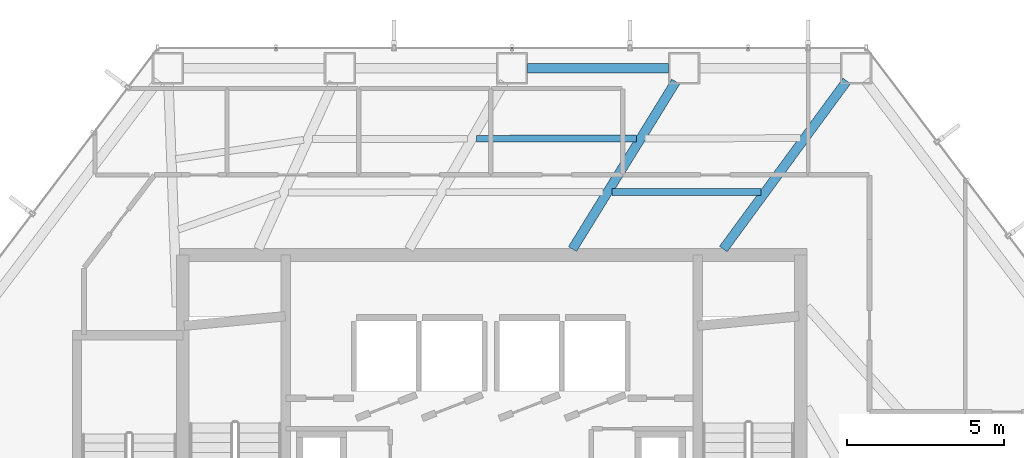
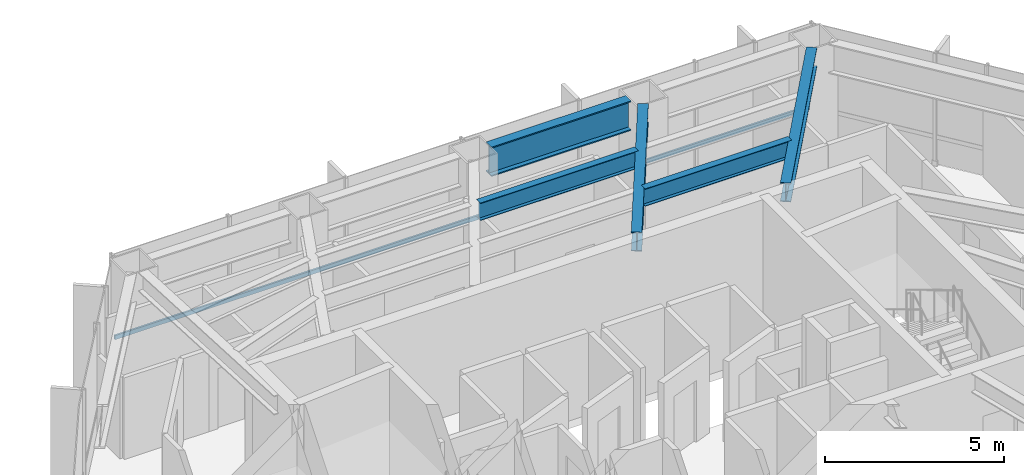
# One storey, part 14 of 25: 5 beams, 1 member, 1 element without a shape of its own.
"""IFC4 building model written with IfcOpenShell, lengths in metres."""

from ifc_helpers import new_model, si_unit, direction, frame, origin, origin_2d, place, context, subcontext, project, spatial, hollow_rectangle, i_section, extrude, material, layer, layer_set, material_profile, profile_set, type_object, element, aggregate, save


model = new_model("IFC4")

# Units and contexts
model_context = context("Model", 3, precision=1e-05, world=origin(), true_north=direction((0.0, 1.0)))
body_context = subcontext(model_context, "Body", "Model", "MODEL_VIEW")
ifc_project = project(units=[si_unit("LENGTHUNIT", "METRE"), si_unit("AREAUNIT", "SQUARE_METRE"), si_unit("VOLUMEUNIT", "CUBIC_METRE"), si_unit("PLANEANGLEUNIT", "RADIAN"), si_unit("MASSUNIT", "GRAM", prefix="KILO")], contexts=[model_context])

# Site, building, storey
site_placement = place(None, origin())
site = spatial("IfcSite", under=ifc_project, at=site_placement, CompositionType="ELEMENT")
building_placement = place(site_placement, origin())
building = spatial("IfcBuilding", under=site, at=building_placement, Name="Zarrinselat Tower", CompositionType="ELEMENT")
storey_placement = place(building_placement, frame((0.0, 0.0, 39.780029296875)))
storey = spatial("IfcBuildingStorey", under=building, at=storey_placement, Name="L09", CompositionType="ELEMENT", Elevation=39.780029296875)

# Beams
ifc_material_1 = material(Name="Steel S355J2", Category="steel")
ifc_material_profile_1 = material_profile(ifc_material_1, i_section(OverallWidth=0.300048828125, OverallDepth=0.64990234375, WebThickness=0.01611328125, FlangeThickness=0.031005859375, at=origin_2d()), Name="HEB 650")
ifc_profile_set_1 = profile_set([ifc_material_profile_1], Name="Steel S355J2")
beam_type_1 = type_object("IfcBeamType", Name="BM-HEB650", PredefinedType="BEAM", material=ifc_profile_set_1)
beam_1_placement = place(storey_placement, frame((45.800048828125, 43.639892578125, 3.494873046875), z_axis=(0.591948703852, 0.805975639835, 0.0), x_axis=(-0.805975639835, 0.591948703852, 0.0)))
element("IfcBeam", 1, at=beam_1_placement, inside=storey, type_object=beam_type_1, Name="L09 Radial Primary Girder RG01", PredefinedType="BEAM", context=body_context, shape_type="SweptSolid", body=[
    extrude(i_section(OverallWidth=0.300048828125, OverallDepth=0.64990234375, WebThickness=0.01611328125, FlangeThickness=0.031005859375, at=origin_2d()), origin(), (0.0, 0.0, 1.0), 6.6376953125),
])
beam_2_placement = place(storey_placement, frame((41.0, 43.639892578125, 3.494873046875), z_axis=(0.525050228917, 0.851071240916, 0.0), x_axis=(-0.851071240916, 0.525050228917, 0.0)))
element("IfcBeam", 2, at=beam_2_placement, inside=storey, type_object=beam_type_1, Name="L09 Radial Primary Girder RG02", PredefinedType="BEAM", context=body_context, shape_type="SweptSolid", body=[
    extrude(i_section(OverallWidth=0.300048828125, OverallDepth=0.64990234375, WebThickness=0.01611328125, FlangeThickness=0.031005859375, at=origin_2d()), origin(), (0.0, 0.0, 1.0), 6.259521484375),
])
ifc_material_2 = material(Name="Steel S460M", Category="steel")
ifc_material_profile_2 = material_profile(ifc_material_2, i_section(OverallWidth=0.302001953125, OverallDepth=1.008056640625, WebThickness=0.02099609375, FlangeThickness=0.0400390625, at=origin_2d()), Name="HEM 1000")
ifc_profile_set_2 = profile_set([ifc_material_profile_2], Name="Steel S460M")
beam_type_2 = type_object("IfcBeamType", Name="BM-HEM1000", PredefinedType="BEAM", material=ifc_profile_set_2)
beam_3_placement = place(storey_placement, frame((39.562255859375, 49.394287109375, 3.31591796875), z_axis=(1.0, 0.0, 0.0), x_axis=(0.0, 1.0, 0.0)))
element("IfcBeam", 3, at=beam_3_placement, inside=storey, type_object=beam_type_2, Name="L09 Perimeter Spandrel Girder SP02", PredefinedType="BEAM", context=body_context, shape_type="SweptSolid", body=[
    extrude(i_section(OverallWidth=0.302001953125, OverallDepth=1.008056640625, WebThickness=0.02099609375, FlangeThickness=0.0400390625, at=origin_2d()), origin(), (0.0, 0.0, 1.0), 4.5),
])
ifc_material_3 = material(Name="Steel S355J2", Category="steel")
ifc_material_profile_3 = material_profile(ifc_material_3, i_section(OverallWidth=0.219970703125, OverallDepth=0.60009765625, WebThickness=0.011962890625, FlangeThickness=0.01904296875, at=origin_2d()), Name="IPE 600")
ifc_profile_set_3 = profile_set([ifc_material_profile_3], Name="Steel S355J2")
beam_type_3 = type_object("IfcBeamType", Name="BM-IPE600", PredefinedType="JOIST", material=ifc_profile_set_3)
beam_4_placement = place(storey_placement, frame((42.257568359375, 45.451416015625, 3.52001953125), z_axis=(0.999998805324, 0.001545752481, 0.0), x_axis=(-0.001545752481, 0.999998805324, 0.0)))
element("IfcBeam", 4, at=beam_4_placement, inside=storey, type_object=beam_type_3, Name="L09 Composite Floor Joist 7-2", PredefinedType="JOIST", context=body_context, shape_type="SweptSolid", body=[
    extrude(i_section(OverallWidth=0.219970703125, OverallDepth=0.60009765625, WebThickness=0.011962890625, FlangeThickness=0.01904296875, at=origin_2d()), origin(), (0.0, 0.0, 1.0), 4.73828125),
])
beam_5_placement = place(storey_placement, frame((37.93701171875, 47.150146484375, 3.52001953125), z_axis=(0.999999392033, 0.001102693739, 0.0), x_axis=(-0.001102693739, 0.999999392033, 0.0)))
element("IfcBeam", 5, at=beam_5_placement, inside=storey, type_object=beam_type_3, Name="L09 Composite Floor Joist 8-1", PredefinedType="JOIST", context=body_context, shape_type="SweptSolid", body=[
    extrude(i_section(OverallWidth=0.219970703125, OverallDepth=0.60009765625, WebThickness=0.011962890625, FlangeThickness=0.01904296875, at=origin_2d()), origin(), (0.0, 0.0, 1.0), 5.09228515625),
])

# Curtain wall, member
ifc_material_4 = material(Name="Extruded Aluminium Alloy EN AW-6063 T6", Category="aluminium")
ifc_layer = layer(ifc_material_4, 0.18505859375)
ifc_layer_set = layer_set([ifc_layer], Name="Extruded Aluminium Alloy EN AW-6063 T6")
curtain_wall_type = type_object("IfcCurtainWallType", Name="CWS-OFF", PredefinedType="NOTDEFINED", material=ifc_layer_set)
curtain_wall_placement = place(storey_placement, origin())
curtain_wall = element("IfcCurtainWall", 6, at=curtain_wall_placement, inside=storey, type_object=curtain_wall_type, Name="L09 Unitised Curtain Wall CW-L09-E01", PredefinedType="NOTDEFINED")
ifc_material_5 = material(Name="Extruded Aluminium Alloy EN AW-6063 T6", Category="aluminium")
ifc_material_profile_4 = material_profile(ifc_material_5, hollow_rectangle(XDim=0.06005859375, YDim=0.139892578125, WallThickness=0.00390625, at=origin_2d()), Name="RHS 140x60x4")
ifc_profile_set_4 = profile_set([ifc_material_profile_4], Name="Extruded Aluminium Alloy EN AW-6063 T6")
member_type = type_object("IfcMemberType", Name="MEM-CW-TRN", PredefinedType="USERDEFINED", material=ifc_profile_set_4)
member_placement = place(storey_placement, frame((50.259521484375, 50.04443359375, 0.949951171875), z_axis=(-1.0, 0.0, 0.0), x_axis=(0.0, -1.0, 0.0)))
member = element("IfcMember", 7, at=member_placement, type_object=member_type, Name="CW-L09-E01 Transom 1", ObjectType="TRANSOM", PredefinedType="USERDEFINED", context=body_context, shape_type="SweptSolid", body=[
    extrude(hollow_rectangle(XDim=0.06005859375, YDim=0.139892578125, WallThickness=0.00390625, at=origin_2d()), origin(), (0.0, 0.0, 1.0), 22.370361328125),
])
aggregate(curtain_wall, [member])

save(model, "model.ifc")
